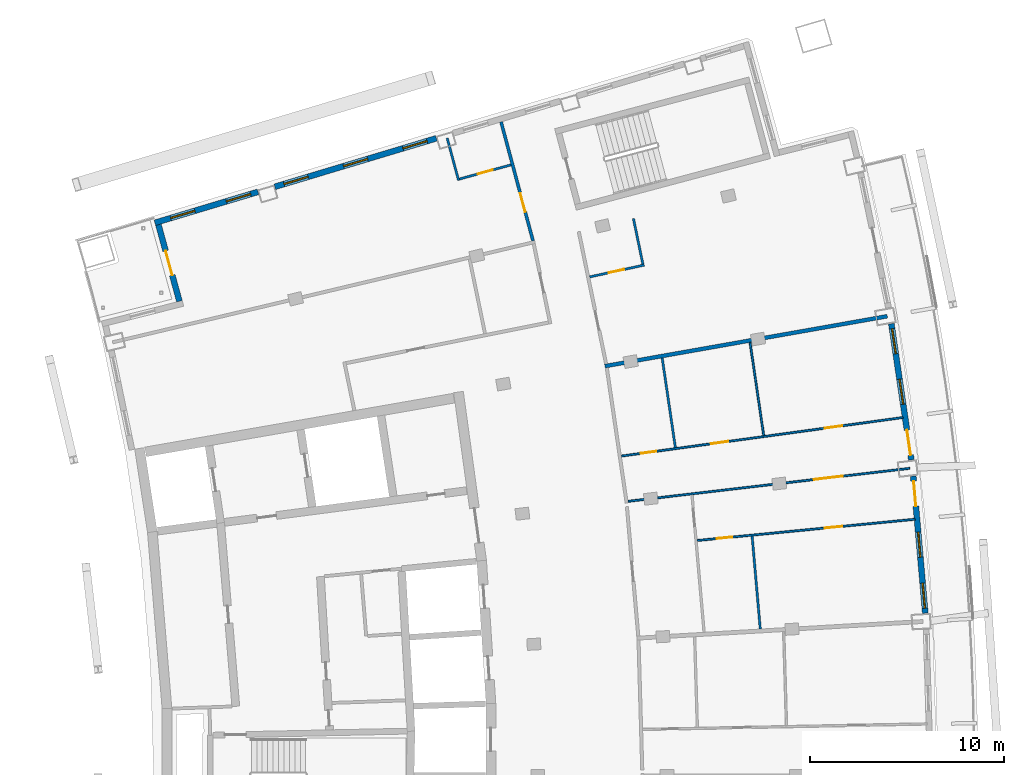
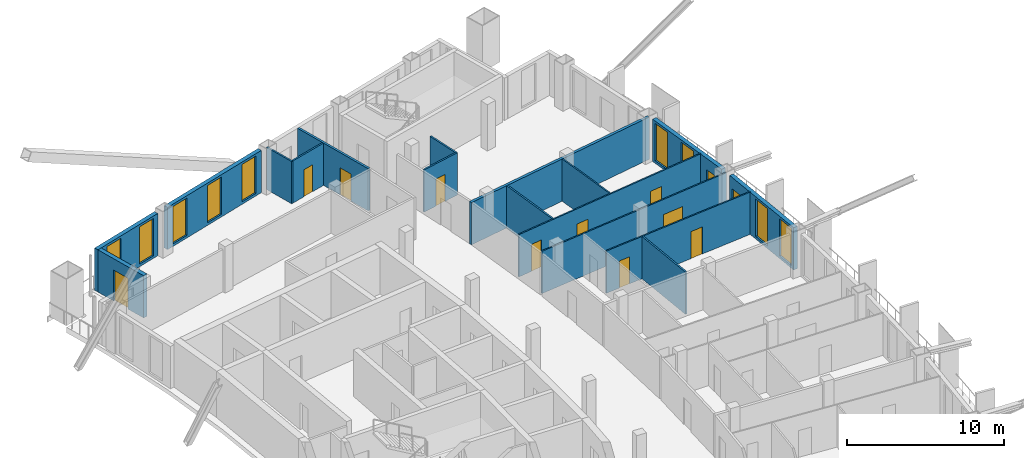
# One storey, part 12 of 17: 17 walls, 12 doors, 9 windows, 21 openings.
"""IFC4 building model written with IfcOpenShell, lengths in metres."""

from ifc_helpers import new_model, si_unit, direction, frame, frame_2d, origin, place, context, subcontext, project, spatial, rectangle, extrude, material, layer, layer_set, type_object, element, fill, save


model = new_model("IFC4")

# Units and contexts
model_context = context("Model", 3, precision=1e-05, world=origin(), true_north=direction((0.0, 1.0)))
body_context = subcontext(model_context, "Body", "Model", "MODEL_VIEW")
ifc_project = project(units=[si_unit("LENGTHUNIT", "METRE"), si_unit("AREAUNIT", "SQUARE_METRE"), si_unit("VOLUMEUNIT", "CUBIC_METRE"), si_unit("PLANEANGLEUNIT", "RADIAN"), si_unit("MASSUNIT", "GRAM", prefix="KILO")], contexts=[model_context])

# Site, building, storey
site_placement = place(None, origin())
site = spatial("IfcSite", under=ifc_project, at=site_placement, CompositionType="ELEMENT")
building_placement = place(site_placement, origin())
building = spatial("IfcBuilding", under=site, at=building_placement, Name="Alderwake Tower", CompositionType="ELEMENT")
storey_placement = place(building_placement, frame((0.0, 0.0, 278.0)))
storey = spatial("IfcBuildingStorey", under=building, at=storey_placement, Name="L69", CompositionType="ELEMENT", Elevation=278.0)

# Wall, opening, door
ifc_material_1 = material(Name="Gypsum board on metal studs, rated")
ifc_layer_1 = layer(ifc_material_1, 0.159912109375)
ifc_layer_set_1 = layer_set([ifc_layer_1], Name="Corridor wall 160")
wall_type_1 = type_object("IfcWallType", Name="Corridor wall 160", PredefinedType="PARTITIONING", material=ifc_layer_set_1)
wall_1_placement = place(storey_placement, frame((35.55908203125, 88.54736328125, 0.0), z_axis=(0.0, 0.0, 1.0), x_axis=(-0.259486497004, 0.965746735885, 0.0)))
wall_1 = element("IfcWall", 1, at=wall_1_placement, inside=storey, type_object=wall_type_1, Name="WL/L69/W13", PredefinedType="PARTITIONING", context=body_context, shape_type="SweptSolid", body=[
    extrude(rectangle(XDim=6.346923828125, YDim=0.159912109375, at=frame_2d((3.17333984375, 0.0))), origin(), (0.0, 0.0, 1.0), 3.280029296875),
])
opening_1_placement = place(wall_1_placement, frame((1.5380859375, 0.0, 0.0)))
opening_1 = element("IfcOpeningElement", 2, at=opening_1_placement, cuts=wall_1, Name="Opening R20-U09.1", PredefinedType="OPENING", context=body_context, shape_type="SweptSolid", body=[
    extrude(rectangle(XDim=1.0, YDim=2.10009765625, at=frame_2d((0.5, 1.050048828125))), frame((0.0, 0.08984375, 0.0), z_axis=(0.0, -1.0, 0.0), x_axis=(1.0, 0.0, 0.0)), (0.0, 0.0, 1.0), 0.179931640625),
])
ifc_material_2 = material(Name="Solid timber leaf in steel frame", Category="steel")
door_type_1 = type_object("IfcDoorType", Name="Flat entrance door 1000 fire-rated", OperationType="SINGLE_SWING_LEFT", PredefinedType="DOOR", material=ifc_material_2)
door_1_placement = place(opening_1_placement, origin())
door_1 = element("IfcDoor", 3, at=door_1_placement, inside=storey, type_object=door_type_1, Name="DR/L69/U09.1", OperationType="SINGLE_SWING_LEFT", OverallHeight=2.10009765625, OverallWidth=1.0, PredefinedType="DOOR", context=body_context, shape_type="SweptSolid", body=[
    extrude(rectangle(XDim=1.0, YDim=2.10009765625, at=frame_2d((0.5, 1.050048828125))), frame((0.0, 0.02490234375, 0.0), z_axis=(0.0, -1.0, 0.0), x_axis=(1.0, 0.0, 0.0)), (0.0, 0.0, 1.0), 0.050048828125),
])
fill(opening_1, door_1)

# Wall, openings, door, windows
ifc_material_3 = material(Name="Precast concrete C50/60 spandrel panel", Category="concrete")
ifc_layer_2 = layer(ifc_material_3, 0.300048828125)
ifc_layer_set_2 = layer_set([ifc_layer_2], Name="External wall EW1 Precast concrete C50/60 spandrel")
wall_type_2 = type_object("IfcWallType", Name="External wall EW1 Precast concrete C50/60 spandrel", PredefinedType="SOLIDWALL", material=ifc_layer_set_2)
wall_2_placement = place(storey_placement, frame((55.78173828125, 69.351806640625, 0.0), z_axis=(0.0, 0.0, 1.0), x_axis=(-0.087372360108, 0.996175722796, 0.0)))
wall_2 = element("IfcWall", 4, at=wall_2_placement, inside=storey, type_object=wall_type_2, Name="External wall 17", PredefinedType="SOLIDWALL", context=body_context, shape_type="SweptSolid", body=[
    extrude(rectangle(XDim=7.091796875, YDim=0.300048828125, at=frame_2d((3.5458984375, 0.0))), origin(), (0.0, 0.0, 1.0), 3.280029296875),
])
opening_2_placement = place(wall_2_placement, frame((0.255615234375, 0.0, 0.199951171875)))
opening_2 = element("IfcOpeningElement", 5, at=opening_2_placement, cuts=wall_2, Name="Opening W1", PredefinedType="OPENING", context=body_context, shape_type="SweptSolid", body=[
    extrude(rectangle(XDim=1.300048828125, YDim=2.89990234375, at=frame_2d((0.64990234375, 1.449951171875))), frame((0.0, 0.159912109375, 0.0), z_axis=(0.0, -1.0, 0.0), x_axis=(1.0, 0.0, 0.0)), (0.0, 0.0, 1.0), 0.320068359375),
])
opening_3_placement = place(wall_2_placement, frame((2.895751953125, 0.0, 0.199951171875)))
opening_3 = element("IfcOpeningElement", 6, at=opening_3_placement, cuts=wall_2, Name="Opening W1", PredefinedType="OPENING", context=body_context, shape_type="SweptSolid", body=[
    extrude(rectangle(XDim=1.300048828125, YDim=2.89990234375, at=frame_2d((0.64990234375, 1.449951171875))), frame((0.0, 0.159912109375, 0.0), z_axis=(0.0, -1.0, 0.0), x_axis=(1.0, 0.0, 0.0)), (0.0, 0.0, 1.0), 0.320068359375),
])
opening_4_placement = place(wall_2_placement, frame((5.535888671875, 0.0, 0.0)))
opening_4 = element("IfcOpeningElement", 7, at=opening_4_placement, cuts=wall_2, Name="Opening D06", PredefinedType="OPENING", context=body_context, shape_type="SweptSolid", body=[
    extrude(rectangle(XDim=1.300048828125, YDim=2.39990234375, at=frame_2d((0.64990234375, 1.199951171875))), frame((0.0, 0.159912109375, 0.0), z_axis=(0.0, -1.0, 0.0), x_axis=(1.0, 0.0, 0.0)), (0.0, 0.0, 1.0), 0.320068359375),
])
ifc_material_4 = material(Name="Bronze tinted glass in aluminium frame", Category="aluminium")
door_type_2 = type_object("IfcDoorType", Name="Balcony door BD sliding", OperationType="SLIDING_TO_LEFT", PredefinedType="DOOR", material=ifc_material_4)
door_2_placement = place(opening_4_placement, origin())
door_2 = element("IfcDoor", 8, at=door_2_placement, inside=storey, type_object=door_type_2, Name="Door D06", OperationType="SLIDING_TO_LEFT", OverallHeight=2.39990234375, OverallWidth=1.300048828125, PredefinedType="DOOR", context=body_context, shape_type="SweptSolid", body=[
    extrude(rectangle(XDim=1.300048828125, YDim=2.39990234375, at=frame_2d((0.64990234375, 1.199951171875))), frame((0.0, 0.02490234375, 0.0), z_axis=(0.0, -1.0, 0.0), x_axis=(1.0, 0.0, 0.0)), (0.0, 0.0, 1.0), 0.050048828125),
])
fill(opening_4, door_2)
ifc_material_5 = material(Name="Bronze tinted glass in aluminium frame", Category="aluminium")
window_type = type_object("IfcWindowType", Name="Window W1 tall fixed and vent", PartitioningType="DOUBLE_PANEL_VERTICAL", PredefinedType="WINDOW", material=ifc_material_5)
window_1_placement = place(opening_2_placement, origin())
window_1 = element("IfcWindow", 9, at=window_1_placement, inside=storey, type_object=window_type, Name="Window W1 tall fixed and vent", OverallHeight=2.89990234375, OverallWidth=1.300048828125, PartitioningType="DOUBLE_PANEL_VERTICAL", PredefinedType="WINDOW", context=body_context, shape_type="SweptSolid", body=[
    extrude(rectangle(XDim=1.300048828125, YDim=2.89990234375, at=frame_2d((0.64990234375, 1.449951171875))), frame((0.0, 0.030029296875, 0.0), z_axis=(0.0, -1.0, 0.0), x_axis=(1.0, 0.0, 0.0)), (0.0, 0.0, 1.0), 0.06005859375),
])
fill(opening_2, window_1)
window_2_placement = place(opening_3_placement, origin())
window_2 = element("IfcWindow", 10, at=window_2_placement, inside=storey, type_object=window_type, Name="Window W1 tall fixed and vent", OverallHeight=2.89990234375, OverallWidth=1.300048828125, PartitioningType="DOUBLE_PANEL_VERTICAL", PredefinedType="WINDOW", context=body_context, shape_type="SweptSolid", body=[
    extrude(rectangle(XDim=1.300048828125, YDim=2.89990234375, at=frame_2d((0.64990234375, 1.449951171875))), frame((0.0, 0.030029296875, 0.0), z_axis=(0.0, -1.0, 0.0), x_axis=(1.0, 0.0, 0.0)), (0.0, 0.0, 1.0), 0.06005859375),
])
fill(opening_3, window_2)

wall_3_placement = place(storey_placement, frame((55.063720703125, 77.253662109375, 0.0), z_axis=(0.0, 0.0, 1.0), x_axis=(-0.145309647342, 0.989386227107, 0.0)))
wall_3 = element("IfcWall", 11, at=wall_3_placement, inside=storey, type_object=wall_type_2, Name="External wall 18", PredefinedType="SOLIDWALL", context=body_context, shape_type="SweptSolid", body=[
    extrude(rectangle(XDim=7.091796875, YDim=0.300048828125, at=frame_2d((3.5458984375, 0.0))), origin(), (0.0, 0.0, 1.0), 3.280029296875),
])
opening_5_placement = place(wall_3_placement, frame((0.255615234375, 0.0, 0.0)))
opening_5 = element("IfcOpeningElement", 12, at=opening_5_placement, cuts=wall_3, Name="Opening D07", PredefinedType="OPENING", context=body_context, shape_type="SweptSolid", body=[
    extrude(rectangle(XDim=1.300048828125, YDim=2.39990234375, at=frame_2d((0.64990234375, 1.199951171875))), frame((0.0, 0.159912109375, 0.0), z_axis=(0.0, -1.0, 0.0), x_axis=(1.0, 0.0, 0.0)), (0.0, 0.0, 1.0), 0.320068359375),
])
opening_6_placement = place(wall_3_placement, frame((2.89599609375, 0.0, 0.199951171875)))
opening_6 = element("IfcOpeningElement", 13, at=opening_6_placement, cuts=wall_3, Name="Opening W1", PredefinedType="OPENING", context=body_context, shape_type="SweptSolid", body=[
    extrude(rectangle(XDim=1.300048828125, YDim=2.89990234375, at=frame_2d((0.64990234375, 1.449951171875))), frame((0.0, 0.159912109375, 0.0), z_axis=(0.0, -1.0, 0.0), x_axis=(1.0, 0.0, 0.0)), (0.0, 0.0, 1.0), 0.320068359375),
])
opening_7_placement = place(wall_3_placement, frame((5.5361328125, 0.0, 0.199951171875)))
opening_7 = element("IfcOpeningElement", 14, at=opening_7_placement, cuts=wall_3, Name="Opening W1", PredefinedType="OPENING", context=body_context, shape_type="SweptSolid", body=[
    extrude(rectangle(XDim=1.300048828125, YDim=2.89990234375, at=frame_2d((0.64990234375, 1.449951171875))), frame((0.0, 0.159912109375, 0.0), z_axis=(0.0, -1.0, 0.0), x_axis=(1.0, 0.0, 0.0)), (0.0, 0.0, 1.0), 0.320068359375),
])
door_3_placement = place(opening_5_placement, origin())
door_3 = element("IfcDoor", 15, at=door_3_placement, inside=storey, type_object=door_type_2, Name="Door D07", OperationType="SLIDING_TO_LEFT", OverallHeight=2.39990234375, OverallWidth=1.300048828125, PredefinedType="DOOR", context=body_context, shape_type="SweptSolid", body=[
    extrude(rectangle(XDim=1.300048828125, YDim=2.39990234375, at=frame_2d((0.64990234375, 1.199951171875))), frame((0.0, 0.02490234375, 0.0), z_axis=(0.0, -1.0, 0.0), x_axis=(1.0, 0.0, 0.0)), (0.0, 0.0, 1.0), 0.050048828125),
])
fill(opening_5, door_3)
window_3_placement = place(opening_6_placement, origin())
window_3 = element("IfcWindow", 16, at=window_3_placement, inside=storey, type_object=window_type, Name="Window W1 tall fixed and vent", OverallHeight=2.89990234375, OverallWidth=1.300048828125, PartitioningType="DOUBLE_PANEL_VERTICAL", PredefinedType="WINDOW", context=body_context, shape_type="SweptSolid", body=[
    extrude(rectangle(XDim=1.300048828125, YDim=2.89990234375, at=frame_2d((0.64990234375, 1.449951171875))), frame((0.0, 0.030029296875, 0.0), z_axis=(0.0, -1.0, 0.0), x_axis=(1.0, 0.0, 0.0)), (0.0, 0.0, 1.0), 0.06005859375),
])
fill(opening_6, window_3)
window_4_placement = place(opening_7_placement, origin())
window_4 = element("IfcWindow", 17, at=window_4_placement, inside=storey, type_object=window_type, Name="Window W1 tall fixed and vent", OverallHeight=2.89990234375, OverallWidth=1.300048828125, PartitioningType="DOUBLE_PANEL_VERTICAL", PredefinedType="WINDOW", context=body_context, shape_type="SweptSolid", body=[
    extrude(rectangle(XDim=1.300048828125, YDim=2.89990234375, at=frame_2d((0.64990234375, 1.449951171875))), frame((0.0, 0.030029296875, 0.0), z_axis=(0.0, -1.0, 0.0), x_axis=(1.0, 0.0, 0.0)), (0.0, 0.0, 1.0), 0.06005859375),
])
fill(opening_7, window_4)

# Wall, openings, windows
ifc_material_6 = material(Name="Bronze metal cladding on lightweight framing")
ifc_layer_3 = layer(ifc_material_6, 0.300048828125)
ifc_layer_set_3 = layer_set([ifc_layer_3], Name="External wall EW2 bronze metal cladding")
wall_type_3 = type_object("IfcWallType", Name="External wall EW2 bronze metal cladding", PredefinedType="SOLIDWALL", material=ifc_layer_set_3)
wall_4_placement = place(storey_placement, frame((30.57568359375, 93.83251953125, 0.0), z_axis=(0.0, 0.0, 1.0), x_axis=(-0.957762902908, -0.287559075345, 0.0)))
wall_4 = element("IfcWall", 18, at=wall_4_placement, inside=storey, type_object=wall_type_3, Name="External wall 26", PredefinedType="SOLIDWALL", context=body_context, shape_type="SweptSolid", body=[
    extrude(rectangle(XDim=8.696533203125, YDim=0.300048828125, at=frame_2d((4.34814453125, 0.0))), origin(), (0.0, 0.0, 1.0), 3.280029296875),
])
opening_8_placement = place(wall_4_placement, frame((0.498291015625, 0.0, 0.199951171875)))
opening_8 = element("IfcOpeningElement", 19, at=opening_8_placement, cuts=wall_4, Name="Opening W1", PredefinedType="OPENING", context=body_context, shape_type="SweptSolid", body=[
    extrude(rectangle(XDim=1.300048828125, YDim=2.89990234375, at=frame_2d((0.64990234375, 1.449951171875))), frame((0.0, 0.159912109375, 0.0), z_axis=(0.0, -1.0, 0.0), x_axis=(1.0, 0.0, 0.0)), (0.0, 0.0, 1.0), 0.320068359375),
])
opening_9_placement = place(wall_4_placement, frame((3.6982421875, 0.0, 0.199951171875)))
opening_9 = element("IfcOpeningElement", 20, at=opening_9_placement, cuts=wall_4, Name="Opening W1", PredefinedType="OPENING", context=body_context, shape_type="SweptSolid", body=[
    extrude(rectangle(XDim=1.300048828125, YDim=2.89990234375, at=frame_2d((0.64990234375, 1.449951171875))), frame((0.0, 0.159912109375, 0.0), z_axis=(0.0, -1.0, 0.0), x_axis=(1.0, 0.0, 0.0)), (0.0, 0.0, 1.0), 0.320068359375),
])
opening_10_placement = place(wall_4_placement, frame((6.898193359375, 0.0, 0.199951171875)))
opening_10 = element("IfcOpeningElement", 21, at=opening_10_placement, cuts=wall_4, Name="Opening W1", PredefinedType="OPENING", context=body_context, shape_type="SweptSolid", body=[
    extrude(rectangle(XDim=1.300048828125, YDim=2.89990234375, at=frame_2d((0.64990234375, 1.449951171875))), frame((0.0, 0.159912109375, 0.0), z_axis=(0.0, -1.0, 0.0), x_axis=(1.0, 0.0, 0.0)), (0.0, 0.0, 1.0), 0.320068359375),
])
window_5_placement = place(opening_8_placement, origin())
window_5 = element("IfcWindow", 22, at=window_5_placement, inside=storey, type_object=window_type, Name="Window W1 tall fixed and vent", OverallHeight=2.89990234375, OverallWidth=1.300048828125, PartitioningType="DOUBLE_PANEL_VERTICAL", PredefinedType="WINDOW", context=body_context, shape_type="SweptSolid", body=[
    extrude(rectangle(XDim=1.300048828125, YDim=2.89990234375, at=frame_2d((0.64990234375, 1.449951171875))), frame((0.0, 0.030029296875, 0.0), z_axis=(0.0, -1.0, 0.0), x_axis=(1.0, 0.0, 0.0)), (0.0, 0.0, 1.0), 0.06005859375),
])
fill(opening_8, window_5)
window_6_placement = place(opening_9_placement, origin())
window_6 = element("IfcWindow", 23, at=window_6_placement, inside=storey, type_object=window_type, Name="Window W1 tall fixed and vent", OverallHeight=2.89990234375, OverallWidth=1.300048828125, PartitioningType="DOUBLE_PANEL_VERTICAL", PredefinedType="WINDOW", context=body_context, shape_type="SweptSolid", body=[
    extrude(rectangle(XDim=1.300048828125, YDim=2.89990234375, at=frame_2d((0.64990234375, 1.449951171875))), frame((0.0, 0.030029296875, 0.0), z_axis=(0.0, -1.0, 0.0), x_axis=(1.0, 0.0, 0.0)), (0.0, 0.0, 1.0), 0.06005859375),
])
fill(opening_9, window_6)
window_7_placement = place(opening_10_placement, origin())
window_7 = element("IfcWindow", 24, at=window_7_placement, inside=storey, type_object=window_type, Name="Window W1 tall fixed and vent", OverallHeight=2.89990234375, OverallWidth=1.300048828125, PartitioningType="DOUBLE_PANEL_VERTICAL", PredefinedType="WINDOW", context=body_context, shape_type="SweptSolid", body=[
    extrude(rectangle(XDim=1.300048828125, YDim=2.89990234375, at=frame_2d((0.64990234375, 1.449951171875))), frame((0.0, 0.030029296875, 0.0), z_axis=(0.0, -1.0, 0.0), x_axis=(1.0, 0.0, 0.0)), (0.0, 0.0, 1.0), 0.06005859375),
])
fill(opening_10, window_7)

wall_5_placement = place(storey_placement, frame((21.380859375, 91.072021484375, 0.0), z_axis=(0.0, 0.0, 1.0), x_axis=(-0.957769358194, -0.287537574074, 0.0)))
wall_5 = element("IfcWall", 25, at=wall_5_placement, inside=storey, type_object=wall_type_3, Name="External wall 27", PredefinedType="SOLIDWALL", context=body_context, shape_type="SweptSolid", body=[
    extrude(rectangle(XDim=5.549560546875, YDim=0.300048828125, at=frame_2d((2.77490234375, 0.0))), origin(), (0.0, 0.0, 1.0), 3.280029296875),
])
opening_11_placement = place(wall_5_placement, frame((0.3984375, 0.0, 0.199951171875)))
opening_11 = element("IfcOpeningElement", 26, at=opening_11_placement, cuts=wall_5, Name="Opening W1", PredefinedType="OPENING", context=body_context, shape_type="SweptSolid", body=[
    extrude(rectangle(XDim=1.300048828125, YDim=2.89990234375, at=frame_2d((0.64990234375, 1.449951171875))), frame((0.0, 0.159912109375, 0.0), z_axis=(0.0, -1.0, 0.0), x_axis=(1.0, 0.0, 0.0)), (0.0, 0.0, 1.0), 0.320068359375),
])
opening_12_placement = place(wall_5_placement, frame((3.399169921875, 0.0, 0.199951171875)))
opening_12 = element("IfcOpeningElement", 27, at=opening_12_placement, cuts=wall_5, Name="Opening W1", PredefinedType="OPENING", context=body_context, shape_type="SweptSolid", body=[
    extrude(rectangle(XDim=1.300048828125, YDim=2.89990234375, at=frame_2d((0.64990234375, 1.449951171875))), frame((0.0, 0.159912109375, 0.0), z_axis=(0.0, -1.0, 0.0), x_axis=(1.0, 0.0, 0.0)), (0.0, 0.0, 1.0), 0.320068359375),
])
window_8_placement = place(opening_11_placement, origin())
window_8 = element("IfcWindow", 28, at=window_8_placement, inside=storey, type_object=window_type, Name="Window W1 tall fixed and vent", OverallHeight=2.89990234375, OverallWidth=1.300048828125, PartitioningType="DOUBLE_PANEL_VERTICAL", PredefinedType="WINDOW", context=body_context, shape_type="SweptSolid", body=[
    extrude(rectangle(XDim=1.300048828125, YDim=2.89990234375, at=frame_2d((0.64990234375, 1.449951171875))), frame((0.0, 0.030029296875, 0.0), z_axis=(0.0, -1.0, 0.0), x_axis=(1.0, 0.0, 0.0)), (0.0, 0.0, 1.0), 0.06005859375),
])
fill(opening_11, window_8)
window_9_placement = place(opening_12_placement, origin())
window_9 = element("IfcWindow", 29, at=window_9_placement, inside=storey, type_object=window_type, Name="Window W1 tall fixed and vent", OverallHeight=2.89990234375, OverallWidth=1.300048828125, PartitioningType="DOUBLE_PANEL_VERTICAL", PredefinedType="WINDOW", context=body_context, shape_type="SweptSolid", body=[
    extrude(rectangle(XDim=1.300048828125, YDim=2.89990234375, at=frame_2d((0.64990234375, 1.449951171875))), frame((0.0, 0.030029296875, 0.0), z_axis=(0.0, -1.0, 0.0), x_axis=(1.0, 0.0, 0.0)), (0.0, 0.0, 1.0), 0.06005859375),
])
fill(opening_12, window_9)

# Wall, opening, door
wall_6_placement = place(storey_placement, frame((16.248779296875, 89.374755859375, 0.0), z_axis=(0.0, 0.0, 1.0), x_axis=(0.264607053468, -0.964356317579, 0.0)))
wall_6 = element("IfcWall", 30, at=wall_6_placement, inside=storey, type_object=wall_type_3, Name="External wall 28", PredefinedType="SOLIDWALL", context=body_context, shape_type="SweptSolid", body=[
    extrude(rectangle(XDim=4.090087890625, YDim=0.300048828125, at=frame_2d((2.044921875, 0.0))), origin(), (0.0, 0.0, 1.0), 3.280029296875),
])
opening_13_placement = place(wall_6_placement, frame((1.39501953125, 0.0, 0.0)))
opening_13 = element("IfcOpeningElement", 31, at=opening_13_placement, cuts=wall_6, Name="Opening D09", PredefinedType="OPENING", context=body_context, shape_type="SweptSolid", body=[
    extrude(rectangle(XDim=1.300048828125, YDim=2.39990234375, at=frame_2d((0.64990234375, 1.199951171875))), frame((0.0, 0.159912109375, 0.0), z_axis=(0.0, -1.0, 0.0), x_axis=(1.0, 0.0, 0.0)), (0.0, 0.0, 1.0), 0.320068359375),
])
door_4_placement = place(opening_13_placement, origin())
door_4 = element("IfcDoor", 32, at=door_4_placement, inside=storey, type_object=door_type_2, Name="Door D09", OperationType="SLIDING_TO_LEFT", OverallHeight=2.39990234375, OverallWidth=1.300048828125, PredefinedType="DOOR", context=body_context, shape_type="SweptSolid", body=[
    extrude(rectangle(XDim=1.300048828125, YDim=2.39990234375, at=frame_2d((0.64990234375, 1.199951171875))), frame((0.0, 0.02490234375, 0.0), z_axis=(0.0, -1.0, 0.0), x_axis=(1.0, 0.0, 0.0)), (0.0, 0.0, 1.0), 0.050048828125),
])
fill(opening_13, door_4)

# Wall
ifc_material_7 = material(Name="Dense block masonry wall", Category="masonry")
ifc_layer_4 = layer(ifc_material_7, 0.199951171875)
ifc_layer_set_4 = layer_set([ifc_layer_4], Name="Party wall 200")
wall_type_4 = type_object("IfcWallType", Name="Party wall 200", PredefinedType="SOLIDWALL", material=ifc_layer_set_4)
wall_7_placement = place(storey_placement, frame((39.269287109375, 82.087158203125, 0.0), z_axis=(0.0, 0.0, 1.0), x_axis=(0.984731962834, 0.174077457967, 0.0)))
element("IfcWall", 33, at=wall_7_placement, inside=storey, type_object=wall_type_4, Name="WL/L69/W01", PredefinedType="SOLIDWALL", context=body_context, shape_type="SweptSolid", body=[
    extrude(rectangle(XDim=14.779296875, YDim=0.199951171875, at=frame_2d((7.3896484375, 0.0))), origin(), (0.0, 0.0, 1.0), 3.280029296875),
])

# Wall, openings, doors
ifc_material_8 = material(Name="Gypsum board on metal studs")
ifc_layer_5 = layer(ifc_material_8, 0.10009765625)
ifc_layer_set_5 = layer_set([ifc_layer_5], Name="Unit partition 100")
wall_type_5 = type_object("IfcWallType", Name="Unit partition 100", PredefinedType="PARTITIONING", material=ifc_layer_set_5)
wall_8_placement = place(storey_placement, frame((40.1142578125, 77.449951171875, 0.0), z_axis=(0.0, 0.0, 1.0), x_axis=(0.990744542491, 0.135739646107, 0.0)))
wall_8 = element("IfcWall", 34, at=wall_8_placement, inside=storey, type_object=wall_type_5, Name="WL/L69/W43", PredefinedType="PARTITIONING", context=body_context, shape_type="SweptSolid", body=[
    extrude(rectangle(XDim=14.660400390625, YDim=0.10009765625, at=frame_2d((7.330078125, 0.0))), origin(), (0.0, 0.0, 1.0), 3.280029296875),
])
opening_14_placement = place(wall_8_placement, frame((4.666259765625, 0.0, 0.0)))
opening_14 = element("IfcOpeningElement", 35, at=opening_14_placement, cuts=wall_8, Name="Opening R20-U06.5", PredefinedType="OPENING", context=body_context, shape_type="SweptSolid", body=[
    extrude(rectangle(XDim=0.89990234375, YDim=2.10009765625, at=frame_2d((0.449951171875, 1.050048828125))), frame((0.0, 0.06005859375, 0.0), z_axis=(0.0, -1.0, 0.0), x_axis=(1.0, 0.0, 0.0)), (0.0, 0.0, 1.0), 0.1201171875),
])
opening_15_placement = place(wall_8_placement, frame((1.0087890625, 0.0, 0.0)))
opening_15 = element("IfcOpeningElement", 36, at=opening_15_placement, cuts=wall_8, Name="Opening R20-U06.6", PredefinedType="OPENING", context=body_context, shape_type="SweptSolid", body=[
    extrude(rectangle(XDim=0.800048828125, YDim=2.10009765625, at=frame_2d((0.39990234375, 1.050048828125))), frame((0.0, 0.06005859375, 0.0), z_axis=(0.0, -1.0, 0.0), x_axis=(1.0, 0.0, 0.0)), (0.0, 0.0, 1.0), 0.1201171875),
])
opening_16_placement = place(wall_8_placement, frame((10.587646484375, 0.0, 0.0)))
opening_16 = element("IfcOpeningElement", 37, at=opening_16_placement, cuts=wall_8, Name="Opening R20-U06.7", PredefinedType="OPENING", context=body_context, shape_type="SweptSolid", body=[
    extrude(rectangle(XDim=0.89990234375, YDim=2.10009765625, at=frame_2d((0.449951171875, 1.050048828125))), frame((0.0, 0.06005859375, 0.0), z_axis=(0.0, -1.0, 0.0), x_axis=(1.0, 0.0, 0.0)), (0.0, 0.0, 1.0), 0.1201171875),
])
ifc_material_9 = material(Name="Painted timber leaf", Category="wood")
door_type_3 = type_object("IfcDoorType", Name="Bathroom door 800", OperationType="SINGLE_SWING_LEFT", PredefinedType="DOOR", material=ifc_material_9)
door_5_placement = place(opening_15_placement, origin())
door_5 = element("IfcDoor", 38, at=door_5_placement, inside=storey, type_object=door_type_3, Name="DR/L69/U06.6", OperationType="SINGLE_SWING_LEFT", OverallHeight=2.10009765625, OverallWidth=0.800048828125, PredefinedType="DOOR", context=body_context, shape_type="SweptSolid", body=[
    extrude(rectangle(XDim=0.800048828125, YDim=2.10009765625, at=frame_2d((0.39990234375, 1.050048828125))), frame((0.0, 0.02490234375, 0.0), z_axis=(0.0, -1.0, 0.0), x_axis=(1.0, 0.0, 0.0)), (0.0, 0.0, 1.0), 0.050048828125),
])
fill(opening_15, door_5)
ifc_material_10 = material(Name="Painted timber leaf", Category="wood")
door_type_4 = type_object("IfcDoorType", Name="Room door 900", OperationType="SINGLE_SWING_LEFT", PredefinedType="DOOR", material=ifc_material_10)
door_6_placement = place(opening_14_placement, origin())
door_6 = element("IfcDoor", 39, at=door_6_placement, inside=storey, type_object=door_type_4, Name="DR/L69/U06.5", OperationType="SINGLE_SWING_LEFT", OverallHeight=2.10009765625, OverallWidth=0.89990234375, PredefinedType="DOOR", context=body_context, shape_type="SweptSolid", body=[
    extrude(rectangle(XDim=0.89990234375, YDim=2.10009765625, at=frame_2d((0.449951171875, 1.050048828125))), frame((0.0, 0.02490234375, 0.0), z_axis=(0.0, -1.0, 0.0), x_axis=(1.0, 0.0, 0.0)), (0.0, 0.0, 1.0), 0.050048828125),
])
fill(opening_14, door_6)
door_7_placement = place(opening_16_placement, origin())
door_7 = element("IfcDoor", 40, at=door_7_placement, inside=storey, type_object=door_type_4, Name="DR/L69/U06.7", OperationType="SINGLE_SWING_LEFT", OverallHeight=2.10009765625, OverallWidth=0.89990234375, PredefinedType="DOOR", context=body_context, shape_type="SweptSolid", body=[
    extrude(rectangle(XDim=0.89990234375, YDim=2.10009765625, at=frame_2d((0.449951171875, 1.050048828125))), frame((0.0, 0.02490234375, 0.0), z_axis=(0.0, -1.0, 0.0), x_axis=(1.0, 0.0, 0.0)), (0.0, 0.0, 1.0), 0.050048828125),
])
fill(opening_16, door_7)

# Wall, opening, door
wall_9_placement = place(storey_placement, frame((40.45654296875, 75.1171875, 0.0), z_axis=(0.0, 0.0, 1.0), x_axis=(0.99320714738, 0.116359625274, 0.0)))
wall_9 = element("IfcWall", 41, at=wall_9_placement, inside=storey, type_object=wall_type_5, Name="WL/L69/W44", PredefinedType="PARTITIONING", context=body_context, shape_type="SweptSolid", body=[
    extrude(rectangle(XDim=14.617919921875, YDim=0.10009765625, at=frame_2d((7.30908203125, 0.0))), origin(), (0.0, 0.0, 1.0), 3.280029296875),
])
opening_17_placement = place(wall_9_placement, frame((9.652099609375, 0.0, 0.0)))
opening_17 = element("IfcOpeningElement", 42, at=opening_17_placement, cuts=wall_9, Name="Opening R20-U06.8", PredefinedType="OPENING", context=body_context, shape_type="SweptSolid", body=[
    extrude(rectangle(XDim=1.5, YDim=2.10009765625, at=frame_2d((0.75, 1.050048828125))), frame((0.0, 0.06005859375, 0.0), z_axis=(0.0, -1.0, 0.0), x_axis=(1.0, 0.0, 0.0)), (0.0, 0.0, 1.0), 0.1201171875),
])
ifc_material_11 = material(Name="Painted timber leaves", Category="wood")
door_type_5 = type_object("IfcDoorType", Name="Double leaf door 1500", OperationType="DOUBLE_DOOR_SINGLE_SWING", PredefinedType="DOOR", material=ifc_material_11)
door_8_placement = place(opening_17_placement, origin())
door_8 = element("IfcDoor", 43, at=door_8_placement, inside=storey, type_object=door_type_5, Name="DR/L69/U06.8", OperationType="DOUBLE_DOOR_SINGLE_SWING", OverallHeight=2.10009765625, OverallWidth=1.5, PredefinedType="DOOR", context=body_context, shape_type="SweptSolid", body=[
    extrude(rectangle(XDim=1.5, YDim=2.10009765625, at=frame_2d((0.75, 1.050048828125))), frame((0.0, 0.02490234375, 0.0), z_axis=(0.0, -1.0, 0.0), x_axis=(1.0, 0.0, 0.0)), (0.0, 0.0, 1.0), 0.050048828125),
])
fill(opening_17, door_8)

# Wall, openings, doors
wall_10_placement = place(storey_placement, frame((55.25390625, 74.193115234375, 0.0), z_axis=(0.0, 0.0, 1.0), x_axis=(-0.995277387788, -0.09707173305, 0.0)))
wall_10 = element("IfcWall", 44, at=wall_10_placement, inside=storey, type_object=wall_type_5, Name="WL/L69/W48", PredefinedType="PARTITIONING", context=body_context, shape_type="SweptSolid", body=[
    extrude(rectangle(XDim=11.282470703125, YDim=0.10009765625, at=frame_2d((5.64111328125, 0.0))), origin(), (0.0, 0.0, 1.0), 3.280029296875),
])
opening_18_placement = place(wall_10_placement, frame((9.46337890625, 0.0, 0.0)))
opening_18 = element("IfcOpeningElement", 45, at=opening_18_placement, cuts=wall_10, Name="Opening R20-U06.3", PredefinedType="OPENING", context=body_context, shape_type="SweptSolid", body=[
    extrude(rectangle(XDim=0.800048828125, YDim=2.10009765625, at=frame_2d((0.39990234375, 1.050048828125))), frame((0.0, 0.06005859375, 0.0), z_axis=(0.0, -1.0, 0.0), x_axis=(1.0, 0.0, 0.0)), (0.0, 0.0, 1.0), 0.1201171875),
])
opening_19_placement = place(wall_10_placement, frame((3.772216796875, 0.0, 0.0)))
opening_19 = element("IfcOpeningElement", 46, at=opening_19_placement, cuts=wall_10, Name="Opening R20-U06.4", PredefinedType="OPENING", context=body_context, shape_type="SweptSolid", body=[
    extrude(rectangle(XDim=0.89990234375, YDim=2.10009765625, at=frame_2d((0.449951171875, 1.050048828125))), frame((0.0, 0.06005859375, 0.0), z_axis=(0.0, -1.0, 0.0), x_axis=(1.0, 0.0, 0.0)), (0.0, 0.0, 1.0), 0.1201171875),
])
door_9_placement = place(opening_18_placement, origin())
door_9 = element("IfcDoor", 47, at=door_9_placement, inside=storey, type_object=door_type_3, Name="DR/L69/U06.3", OperationType="SINGLE_SWING_LEFT", OverallHeight=2.10009765625, OverallWidth=0.800048828125, PredefinedType="DOOR", context=body_context, shape_type="SweptSolid", body=[
    extrude(rectangle(XDim=0.800048828125, YDim=2.10009765625, at=frame_2d((0.39990234375, 1.050048828125))), frame((0.0, 0.02490234375, 0.0), z_axis=(0.0, -1.0, 0.0), x_axis=(1.0, 0.0, 0.0)), (0.0, 0.0, 1.0), 0.050048828125),
])
fill(opening_18, door_9)
door_10_placement = place(opening_19_placement, origin())
door_10 = element("IfcDoor", 48, at=door_10_placement, inside=storey, type_object=door_type_4, Name="DR/L69/U06.4", OperationType="SINGLE_SWING_LEFT", OverallHeight=2.10009765625, OverallWidth=0.89990234375, PredefinedType="DOOR", context=body_context, shape_type="SweptSolid", body=[
    extrude(rectangle(XDim=0.89990234375, YDim=2.10009765625, at=frame_2d((0.449951171875, 1.050048828125))), frame((0.0, 0.02490234375, 0.0), z_axis=(0.0, -1.0, 0.0), x_axis=(1.0, 0.0, 0.0)), (0.0, 0.0, 1.0), 0.050048828125),
])
fill(opening_19, door_10)

# Walls
wall_11_placement = place(storey_placement, frame((47.45263671875, 78.505615234375, 0.0), z_axis=(0.0, 0.0, 1.0), x_axis=(-0.145003277996, 0.989431174651, 0.0)))
element("IfcWall", 49, at=wall_11_placement, inside=storey, type_object=wall_type_5, Name="WL/L69/W51", PredefinedType="PARTITIONING", context=body_context, shape_type="SweptSolid", body=[
    extrude(rectangle(XDim=4.855712890625, YDim=0.10009765625, at=frame_2d((2.427734375, 0.0))), origin(), (0.0, 0.0, 1.0), 3.280029296875),
])
ifc_material_12 = material(Name="Moisture resistant gypsum board on metal studs")
ifc_layer_6 = layer(ifc_material_12, 0.1201171875)
ifc_layer_set_6 = layer_set([ifc_layer_6], Name="Wet room partition 120")
wall_type_6 = type_object("IfcWallType", Name="Wet room partition 120", PredefinedType="PARTITIONING", material=ifc_layer_set_6)
wall_12_placement = place(storey_placement, frame((31.134033203125, 93.843017578125, 0.0), z_axis=(0.0, 0.0, 1.0), x_axis=(0.260139854323, -0.965570948296, 0.0)))
element("IfcWall", 50, at=wall_12_placement, inside=storey, type_object=wall_type_6, Name="WL/L69/W28", PredefinedType="PARTITIONING", context=body_context, shape_type="SweptSolid", body=[
    extrude(rectangle(XDim=2.2626953125, YDim=0.1201171875, at=frame_2d((1.13134765625, 0.0))), origin(), (0.0, 0.0, 1.0), 3.280029296875),
])

# Wall, opening, door
wall_13_placement = place(storey_placement, frame((31.764892578125, 91.73193359375, 0.0), z_axis=(0.0, 0.0, 1.0), x_axis=(0.964278304966, 0.264891205163, 0.0)))
wall_13 = element("IfcWall", 51, at=wall_13_placement, inside=storey, type_object=wall_type_6, Name="WL/L69/W30", PredefinedType="PARTITIONING", context=body_context, shape_type="SweptSolid", body=[
    extrude(rectangle(XDim=2.759521484375, YDim=0.1201171875, at=frame_2d((1.3798828125, 0.0))), origin(), (0.0, 0.0, 1.0), 3.280029296875),
])
opening_20_placement = place(wall_13_placement, frame((0.979736328125, 0.0, 0.0)))
opening_20 = element("IfcOpeningElement", 52, at=opening_20_placement, cuts=wall_13, Name="Opening R20-U09.2", PredefinedType="OPENING", context=body_context, shape_type="SweptSolid", body=[
    extrude(rectangle(XDim=0.800048828125, YDim=2.10009765625, at=frame_2d((0.39990234375, 1.050048828125))), frame((0.0, 0.070068359375, 0.0), z_axis=(0.0, -1.0, 0.0), x_axis=(1.0, 0.0, 0.0)), (0.0, 0.0, 1.0), 0.14013671875),
])
door_11_placement = place(opening_20_placement, origin())
door_11 = element("IfcDoor", 53, at=door_11_placement, inside=storey, type_object=door_type_3, Name="DR/L69/U09.2", OperationType="SINGLE_SWING_LEFT", OverallHeight=2.10009765625, OverallWidth=0.800048828125, PredefinedType="DOOR", context=body_context, shape_type="SweptSolid", body=[
    extrude(rectangle(XDim=0.800048828125, YDim=2.10009765625, at=frame_2d((0.39990234375, 1.050048828125))), frame((0.0, 0.02490234375, 0.0), z_axis=(0.0, -1.0, 0.0), x_axis=(1.0, 0.0, 0.0)), (0.0, 0.0, 1.0), 0.050048828125),
])
fill(opening_20, door_11)

wall_14_placement = place(storey_placement, frame((38.481201171875, 86.68701171875, 0.0), z_axis=(0.0, 0.0, 1.0), x_axis=(0.97723527817, 0.212158457526, 0.0)))
wall_14 = element("IfcWall", 54, at=wall_14_placement, inside=storey, type_object=wall_type_6, Name="WL/L69/W32", PredefinedType="PARTITIONING", context=body_context, shape_type="SweptSolid", body=[
    extrude(rectangle(XDim=2.8779296875, YDim=0.1201171875, at=frame_2d((1.43896484375, 0.0))), origin(), (0.0, 0.0, 1.0), 3.280029296875),
])
opening_21_placement = place(wall_14_placement, frame((1.009521484375, 0.0, 0.0)))
opening_21 = element("IfcOpeningElement", 55, at=opening_21_placement, cuts=wall_14, Name="Opening R20-U07.2", PredefinedType="OPENING", context=body_context, shape_type="SweptSolid", body=[
    extrude(rectangle(XDim=0.800048828125, YDim=2.10009765625, at=frame_2d((0.39990234375, 1.050048828125))), frame((0.0, 0.070068359375, 0.0), z_axis=(0.0, -1.0, 0.0), x_axis=(1.0, 0.0, 0.0)), (0.0, 0.0, 1.0), 0.14013671875),
])
door_12_placement = place(opening_21_placement, origin())
door_12 = element("IfcDoor", 56, at=door_12_placement, inside=storey, type_object=door_type_3, Name="DR/L69/U07.2", OperationType="SINGLE_SWING_LEFT", OverallHeight=2.10009765625, OverallWidth=0.800048828125, PredefinedType="DOOR", context=body_context, shape_type="SweptSolid", body=[
    extrude(rectangle(XDim=0.800048828125, YDim=2.10009765625, at=frame_2d((0.39990234375, 1.050048828125))), frame((0.0, 0.02490234375, 0.0), z_axis=(0.0, -1.0, 0.0), x_axis=(1.0, 0.0, 0.0)), (0.0, 0.0, 1.0), 0.050048828125),
])
fill(opening_21, door_12)

# Walls
wall_15_placement = place(storey_placement, frame((41.222900390625, 87.34375, 0.0), z_axis=(0.0, 0.0, 1.0), x_axis=(-0.202430686623, 0.979296593026, 0.0)))
element("IfcWall", 57, at=wall_15_placement, inside=storey, type_object=wall_type_6, Name="WL/L69/W34", PredefinedType="PARTITIONING", context=body_context, shape_type="SweptSolid", body=[
    extrude(rectangle(XDim=2.400146484375, YDim=0.1201171875, at=frame_2d((1.2001953125, 0.0))), origin(), (0.0, 0.0, 1.0), 3.280029296875),
])
wall_16_placement = place(storey_placement, frame((42.898681640625, 77.881591796875, 0.0), z_axis=(0.0, 0.0, 1.0), x_axis=(-0.145424863666, 0.989369298608, 0.0)))
element("IfcWall", 58, at=wall_16_placement, inside=storey, type_object=wall_type_6, Name="WL/L69/W35", PredefinedType="PARTITIONING", context=body_context, shape_type="SweptSolid", body=[
    extrude(rectangle(XDim=4.67724609375, YDim=0.1201171875, at=frame_2d((2.338623046875, 0.0))), origin(), (0.0, 0.0, 1.0), 3.280029296875),
])
wall_17_placement = place(storey_placement, frame((47.2744140625, 68.53271484375, 0.0), z_axis=(0.0, 0.0, 1.0), x_axis=(-0.087155609358, 0.996194709762, 0.0)))
element("IfcWall", 59, at=wall_17_placement, inside=storey, type_object=wall_type_6, Name="WL/L69/W41", PredefinedType="PARTITIONING", context=body_context, shape_type="SweptSolid", body=[
    extrude(rectangle(XDim=4.806884765625, YDim=0.1201171875, at=frame_2d((2.4033203125, 0.0))), origin(), (0.0, 0.0, 1.0), 3.280029296875),
])

save(model, "model.ifc")
